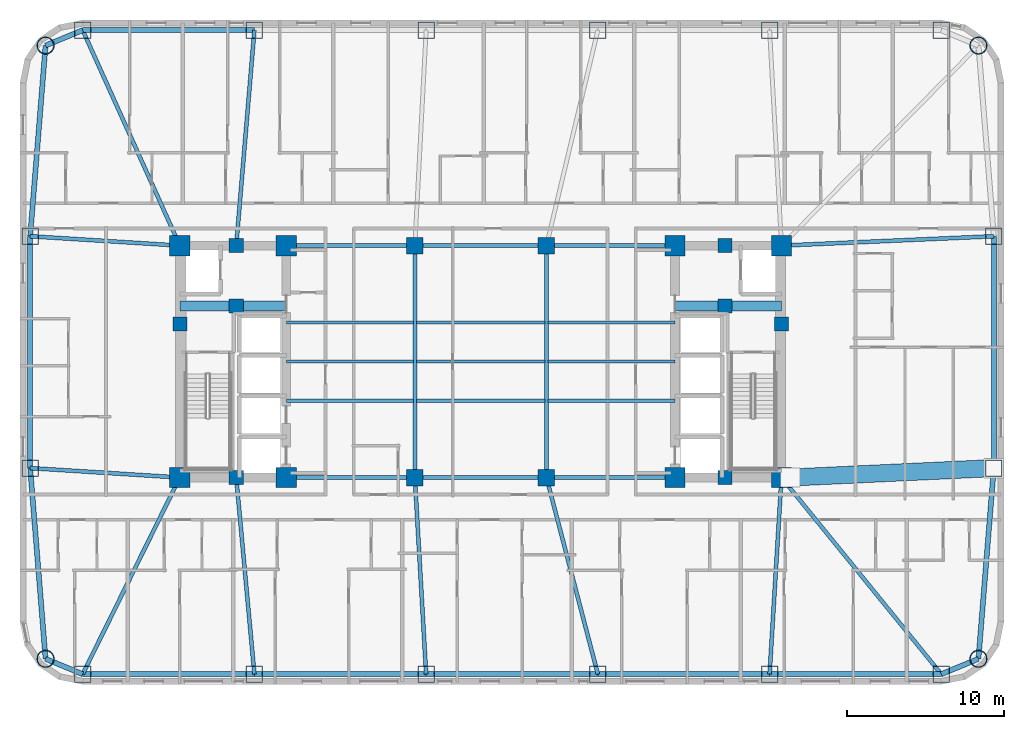
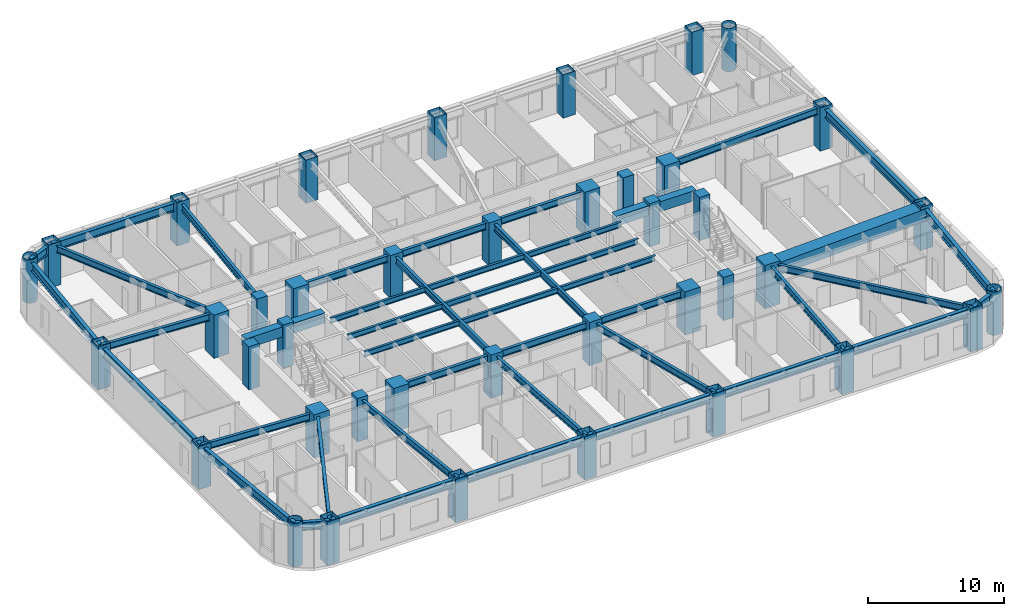
# One storey, part 1 of 11: 45 beams, 40 columns.
"""IFC4 building model written with IfcOpenShell, lengths in metres."""

from ifc_helpers import new_model, si_unit, direction, frame, origin, origin_2d, place, context, subcontext, project, spatial, rectangle, hollow_rectangle, hollow_circle, i_section, extrude, material, material_profile, profile_set, type_object, element, save


model = new_model("IFC4")

# Units and contexts
model_context = context("Model", 3, precision=1e-05, world=origin(), true_north=direction((0.0, 1.0)))
body_context = subcontext(model_context, "Body", "Model", "MODEL_VIEW")
ifc_project = project(units=[si_unit("LENGTHUNIT", "METRE"), si_unit("AREAUNIT", "SQUARE_METRE"), si_unit("VOLUMEUNIT", "CUBIC_METRE"), si_unit("PLANEANGLEUNIT", "RADIAN"), si_unit("MASSUNIT", "GRAM", prefix="KILO")], contexts=[model_context])

# Site, building, storey
site_placement = place(None, origin())
site = spatial("IfcSite", under=ifc_project, at=site_placement, CompositionType="ELEMENT")
building_placement = place(site_placement, origin())
building = spatial("IfcBuilding", under=site, at=building_placement, Name="Voryun Gate Residences", CompositionType="ELEMENT")
storey_placement = place(building_placement, frame((0.0, 0.0, 105.300048828125)))
storey = spatial("IfcBuildingStorey", under=building, at=storey_placement, Name="L25", CompositionType="ELEMENT", Elevation=105.300048828125)

# Columns
ifc_material_1 = material(Name="Concrete C50/60", Category="concrete")
ifc_material_profile_1 = material_profile(ifc_material_1, rectangle(XDim=1.050048828125, YDim=1.050048828125, at=origin_2d()), Name="RC-1050x1050")
ifc_profile_set_1 = profile_set([ifc_material_profile_1], Name="Concrete C50/60")
column_type_1 = type_object("IfcColumnType", Name="COL_CORE_1050", PredefinedType="COLUMN", material=ifc_profile_set_1)
for number, where, z_axis, x_axis, name in (
    (1, (-4.199951171875, -7.39990234375, 0.0), (0.0, 0.0, 1.0), (1.0, 0.0, 0.0), "L25 Interior spine column SP-WS"),
    (2, (-4.199951171875, 7.39990234375, 0.0), (0.0, 0.0, 1.0), (1.0, 0.0, 0.0), "L25 Interior spine column SP-WN"),
    (3, (4.199951171875, -7.39990234375, 0.0), (0.0, 0.0, 1.0), (1.0, 0.0, 0.0), "L25 Interior spine column SP-ES"),
    (4, (4.199951171875, 7.39990234375, 0.0), (0.0, 0.0, 1.0), (1.0, 0.0, 0.0), "L25 Interior spine column SP-EN"),
):
    element("IfcColumn", number, at=place(storey_placement, frame(where, z_axis=z_axis, x_axis=x_axis)), inside=storey, type_object=column_type_1, Name=name, PredefinedType="COLUMN", context=body_context, shape_type="SweptSolid", body=[
        extrude(rectangle(XDim=1.050048828125, YDim=1.050048828125, at=origin_2d()), origin(), (0.0, 0.0, 1.0), 3.89990234375),
    ])
ifc_material_2 = material(Name="Concrete C50/60", Category="concrete")
ifc_material_profile_2 = material_profile(ifc_material_2, rectangle(XDim=0.89990234375, YDim=0.89990234375, at=origin_2d()), Name="RC-900x900")
ifc_profile_set_2 = profile_set([ifc_material_profile_2], Name="Concrete C50/60")
column_type_2 = type_object("IfcColumnType", Name="COL_CORE_900", PredefinedType="COLUMN", material=ifc_profile_set_2)
for number, where, z_axis, x_axis, name in (
    (5, (-19.199951171875, 2.39990234375, 0.0), (0.0, 0.0, 1.0), (1.0, 0.0, 0.0), "L25 Core boundary column WC-MW"),
    (6, (-15.60009765625, -7.39990234375, 0.0), (0.0, 0.0, 1.0), (1.0, 0.0, 0.0), "L25 Core boundary column WC-SM"),
    (7, (-15.60009765625, 7.39990234375, 0.0), (0.0, 0.0, 1.0), (1.0, 0.0, 0.0), "L25 Core boundary column WC-NM"),
    (8, (-15.60009765625, 3.550048828125, 0.0), (0.0, 0.0, 1.0), (1.0, 0.0, 0.0), "L25 Core boundary column WC-MM"),
    (9, (15.60009765625, 3.550048828125, 0.0), (0.0, 0.0, 1.0), (1.0, 0.0, 0.0), "L25 Core boundary column EC-MM"),
    (10, (15.60009765625, -7.39990234375, 0.0), (0.0, 0.0, 1.0), (1.0, 0.0, 0.0), "L25 Core boundary column EC-SM"),
    (11, (15.60009765625, 7.39990234375, 0.0), (0.0, 0.0, 1.0), (1.0, 0.0, 0.0), "L25 Core boundary column EC-NM"),
    (12, (19.199951171875, 2.39990234375, 0.0), (0.0, 0.0, 1.0), (1.0, 0.0, 0.0), "L25 Core boundary column EC-ME"),
):
    element("IfcColumn", number, at=place(storey_placement, frame(where, z_axis=z_axis, x_axis=x_axis)), inside=storey, type_object=column_type_2, Name=name, PredefinedType="COLUMN", context=body_context, shape_type="SweptSolid", body=[
        extrude(rectangle(XDim=0.89990234375, YDim=0.89990234375, at=origin_2d()), origin(), (0.0, 0.0, 1.0), 3.89990234375),
    ])
ifc_material_3 = material(Name="Steel SM420", Category="steel")
ifc_material_profile_3 = material_profile(ifc_material_3, hollow_circle(Radius=0.550048828125, WallThickness=0.035888671875, at=origin_2d()), Name="CHS-1100x36")
ifc_profile_set_3 = profile_set([ifc_material_profile_3], Name="Steel SM420")
column_type_3 = type_object("IfcColumnType", Name="COL_CRN_1100", PredefinedType="COLUMN", material=ifc_profile_set_3)
for number, where, z_axis, x_axis, name in (
    (13, (31.768798828125, -18.96875, 0.0), (0.0, 0.0, 1.0), (1.0, 0.0, 0.0), "L25 Exoskeleton column CSE"),
    (14, (31.768798828125, 20.168701171875, 0.0), (0.0, 0.0, 1.0), (1.0, 0.0, 0.0), "L25 Exoskeleton column CNE"),
    (15, (-27.768798828125, 20.168701171875, 0.0), (0.0, 0.0, 1.0), (1.0, 0.0, 0.0), "L25 Exoskeleton column CNW"),
    (16, (-27.768798828125, -18.96875, 0.0), (0.0, 0.0, 1.0), (1.0, 0.0, 0.0), "L25 Exoskeleton column CSW"),
):
    element("IfcColumn", number, at=place(storey_placement, frame(where, z_axis=z_axis, x_axis=x_axis)), inside=storey, type_object=column_type_3, Name=name, PredefinedType="COLUMN", context=body_context, shape_type="SweptSolid", body=[
        extrude(hollow_circle(Radius=0.550048828125, WallThickness=0.035888671875, at=origin_2d()), origin(), (0.0, 0.0, 1.0), 3.89990234375),
    ])
ifc_material_4 = material(Name="Steel SM420", Category="steel")
ifc_material_profile_4 = material_profile(ifc_material_4, hollow_rectangle(XDim=1.050048828125, YDim=1.050048828125, WallThickness=0.035888671875, at=origin_2d()), Name="BOX-1050x1050x36")
ifc_profile_set_4 = profile_set([ifc_material_profile_4], Name="Steel SM420")
column_type_4 = type_object("IfcColumnType", Name="COL_EXO_B2", PredefinedType="COLUMN", material=ifc_profile_set_4)
for number, where, z_axis, x_axis, name in (
    (17, (-25.39990234375, -19.949951171875, 0.0), (0.0, 0.0, 1.0), (1.0, 0.0, 0.0), "L25 Exoskeleton column S1"),
    (18, (-14.43994140625, -19.949951171875, 0.0), (0.0, 0.0, 1.0), (1.0, 0.0, 0.0), "L25 Exoskeleton column S2"),
    (19, (-3.47998046875, -19.949951171875, 0.0), (0.0, 0.0, 1.0), (1.0, 0.0, 0.0), "L25 Exoskeleton column S3"),
    (20, (7.47998046875, -19.949951171875, 0.0), (0.0, 0.0, 1.0), (1.0, 0.0, 0.0), "L25 Exoskeleton column S4"),
    (21, (18.43994140625, -19.949951171875, 0.0), (0.0, 0.0, 1.0), (1.0, 0.0, 0.0), "L25 Exoskeleton column S5"),
    (22, (29.39990234375, -19.949951171875, 0.0), (0.0, 0.0, 1.0), (1.0, 0.0, 0.0), "L25 Exoskeleton column S6"),
    (23, (32.75, -6.798095703125, 0.0), (0.0, 0.0, 1.0), (1.0, 0.0, 0.0), "L25 Exoskeleton column E1"),
    (24, (32.75, 7.998046875, 0.0), (0.0, 0.0, 1.0), (1.0, 0.0, 0.0), "L25 Exoskeleton column E2"),
    (25, (29.39990234375, 21.14990234375, 0.0), (0.0, 0.0, 1.0), (1.0, 0.0, 0.0), "L25 Exoskeleton column N1"),
    (26, (18.43994140625, 21.14990234375, 0.0), (0.0, 0.0, 1.0), (1.0, 0.0, 0.0), "L25 Exoskeleton column N2"),
    (27, (7.47998046875, 21.14990234375, 0.0), (0.0, 0.0, 1.0), (1.0, 0.0, 0.0), "L25 Exoskeleton column N3"),
    (28, (-3.47998046875, 21.14990234375, 0.0), (0.0, 0.0, 1.0), (1.0, 0.0, 0.0), "L25 Exoskeleton column N4"),
    (29, (-14.43994140625, 21.14990234375, 0.0), (0.0, 0.0, 1.0), (1.0, 0.0, 0.0), "L25 Exoskeleton column N5"),
    (30, (-25.39990234375, 21.14990234375, 0.0), (0.0, 0.0, 1.0), (1.0, 0.0, 0.0), "L25 Exoskeleton column N6"),
    (31, (-28.75, 7.998046875, 0.0), (0.0, 0.0, 1.0), (1.0, 0.0, 0.0), "L25 Exoskeleton column W1"),
    (32, (-28.75, -6.798095703125, 0.0), (0.0, 0.0, 1.0), (1.0, 0.0, 0.0), "L25 Exoskeleton column W2"),
):
    element("IfcColumn", number, at=place(storey_placement, frame(where, z_axis=z_axis, x_axis=x_axis)), inside=storey, type_object=column_type_4, Name=name, PredefinedType="COLUMN", context=body_context, shape_type="SweptSolid", body=[
        extrude(hollow_rectangle(XDim=1.050048828125, YDim=1.050048828125, WallThickness=0.035888671875, at=origin_2d()), origin(), (0.0, 0.0, 1.0), 3.89990234375),
    ])
ifc_material_5 = material(Name="Concrete C60/75", Category="concrete")
ifc_material_profile_5 = material_profile(ifc_material_5, rectangle(XDim=1.300048828125, YDim=1.300048828125, at=origin_2d()), Name="RC-1300x1300")
ifc_profile_set_5 = profile_set([ifc_material_profile_5], Name="Concrete C60/75")
column_type_5 = type_object("IfcColumnType", Name="COL_MEGA_1300", PredefinedType="COLUMN", material=ifc_profile_set_5)
for number, where, z_axis, x_axis, name in (
    (33, (-19.199951171875, -7.39990234375, 0.0), (0.0, 0.0, 1.0), (1.0, 0.0, 0.0), "L25 Core boundary column WC-SW"),
    (34, (-19.199951171875, 7.39990234375, 0.0), (0.0, 0.0, 1.0), (1.0, 0.0, 0.0), "L25 Core boundary column WC-NW"),
    (35, (-12.39990234375, -7.39990234375, 0.0), (0.0, 0.0, 1.0), (1.0, 0.0, 0.0), "L25 Core boundary column WC-SE"),
    (36, (-12.39990234375, 7.39990234375, 0.0), (0.0, 0.0, 1.0), (1.0, 0.0, 0.0), "L25 Core boundary column WC-NE"),
    (37, (12.39990234375, -7.39990234375, 0.0), (0.0, 0.0, 1.0), (1.0, 0.0, 0.0), "L25 Core boundary column EC-SW"),
    (38, (12.39990234375, 7.39990234375, 0.0), (0.0, 0.0, 1.0), (1.0, 0.0, 0.0), "L25 Core boundary column EC-NW"),
    (39, (19.199951171875, -7.39990234375, 0.0), (0.0, 0.0, 1.0), (1.0, 0.0, 0.0), "L25 Core boundary column EC-SE"),
    (40, (19.199951171875, 7.39990234375, 0.0), (0.0, 0.0, 1.0), (1.0, 0.0, 0.0), "L25 Core boundary column EC-NE"),
):
    element("IfcColumn", number, at=place(storey_placement, frame(where, z_axis=z_axis, x_axis=x_axis)), inside=storey, type_object=column_type_5, Name=name, PredefinedType="COLUMN", context=body_context, shape_type="SweptSolid", body=[
        extrude(rectangle(XDim=1.300048828125, YDim=1.300048828125, at=origin_2d()), origin(), (0.0, 0.0, 1.0), 3.89990234375),
    ])

# Beams
ifc_material_6 = material(Name="Steel SM420", Category="steel")
ifc_material_profile_6 = material_profile(ifc_material_6, hollow_rectangle(XDim=1.10009765625, YDim=1.10009765625, WallThickness=0.035888671875, at=origin_2d()), Name="BOX-1100x1100x36")
ifc_profile_set_6 = profile_set([ifc_material_profile_6], Name="Steel SM420")
beam_type_1 = type_object("IfcBeamType", Name="BM_ARCH_RIB", PredefinedType="USERDEFINED", material=ifc_profile_set_6)
beam_1_placement = place(storey_placement, frame((19.75, -7.39990234375, 3.099853515625), z_axis=(0.998930206616, 0.046243294759, 0.0), x_axis=(-0.046243294759, 0.998930206616, 0.0)))
element("IfcBeam", 41, at=beam_1_placement, inside=storey, type_object=beam_type_1, Name="BM-L25-RAD-E1", ObjectType="GIRDER", PredefinedType="USERDEFINED", context=body_context, shape_type="SweptSolid", body=[
    extrude(hollow_rectangle(XDim=1.10009765625, YDim=1.10009765625, WallThickness=0.035888671875, at=origin_2d()), origin(), (0.0, 0.0, 1.0), 13.013916015625),
])
ifc_material_7 = material(Name="Concrete C60/75", Category="concrete")
ifc_material_profile_7 = material_profile(ifc_material_7, rectangle(XDim=0.64990234375, YDim=0.89990234375, at=origin_2d()), Name="RC-650x900")
ifc_profile_set_7 = profile_set([ifc_material_profile_7], Name="Concrete C60/75")
beam_type_2 = type_object("IfcBeamType", Name="BM_COUP_RC900", PredefinedType="LINTEL", material=ifc_profile_set_7)
for number, where, z_axis, x_axis, name in (
    (42, (-19.199951171875, 3.550048828125, 3.199951171875), (1.0, 0.0, 0.0), (0.0, 1.0, 0.0), "BM-L25-WC1"),
    (43, (12.39990234375, 3.550048828125, 3.199951171875), (1.0, 0.0, 0.0), (0.0, 1.0, 0.0), "BM-L25-EC1"),
):
    element("IfcBeam", number, at=place(storey_placement, frame(where, z_axis=z_axis, x_axis=x_axis)), inside=storey, type_object=beam_type_2, Name=name, PredefinedType="LINTEL", context=body_context, shape_type="SweptSolid", body=[
        extrude(rectangle(XDim=0.64990234375, YDim=0.89990234375, at=origin_2d()), origin(), (0.0, 0.0, 1.0), 6.800048828125),
    ])
ifc_material_8 = material(Name="Steel SM355", Category="steel")
ifc_material_profile_8 = material_profile(ifc_material_8, i_section(OverallWidth=0.320068359375, OverallDepth=0.75, WebThickness=0.01611328125, FlangeThickness=0.028076171875, FilletRadius=0.01806640625, at=origin_2d()), Name="H-750x320x16x28")
ifc_profile_set_8 = profile_set([ifc_material_profile_8], Name="Steel SM355")
beam_type_3 = type_object("IfcBeamType", Name="BM_EXO_SPANDREL_L", PredefinedType="SPANDREL", material=ifc_profile_set_8)
for number, where, z_axis, x_axis, name in (
    (44, (-25.39990234375, -19.949951171875, 3.27490234375), (1.0, 0.0, 0.0), (0.0, 1.0, 0.0), "BM-L25-SPAND-01"),
    (45, (-14.43994140625, -19.949951171875, 3.27490234375), (1.0, 0.0, 0.0), (0.0, 1.0, 0.0), "BM-L25-SPAND-02"),
    (46, (-3.47998046875, -19.949951171875, 3.27490234375), (1.0, 0.0, 0.0), (0.0, 1.0, 0.0), "BM-L25-SPAND-03"),
    (47, (7.47998046875, -19.949951171875, 3.27490234375), (1.0, 0.0, 0.0), (0.0, 1.0, 0.0), "BM-L25-SPAND-04"),
    (48, (18.43994140625, -19.949951171875, 3.27490234375), (1.0, 0.0, 0.0), (0.0, 1.0, 0.0), "BM-L25-SPAND-05"),
):
    element("IfcBeam", number, at=place(storey_placement, frame(where, z_axis=z_axis, x_axis=x_axis)), inside=storey, type_object=beam_type_3, Name=name, PredefinedType="SPANDREL", context=body_context, shape_type="SweptSolid", body=[
        extrude(i_section(OverallWidth=0.320068359375, OverallDepth=0.75, WebThickness=0.01611328125, FlangeThickness=0.028076171875, FilletRadius=0.01806640625, at=origin_2d()), origin(), (0.0, 0.0, 1.0), 10.9599609375),
    ])
beam_2_placement = place(storey_placement, frame((29.39990234375, -19.949951171875, 3.27490234375), z_axis=(0.923883376753, 0.382674151414, 0.0), x_axis=(-0.382674151414, 0.923883376753, 0.0)))
element("IfcBeam", 49, at=beam_2_placement, inside=storey, type_object=beam_type_3, Name="BM-L25-SPAND-06", PredefinedType="SPANDREL", context=body_context, shape_type="SweptSolid", body=[
    extrude(i_section(OverallWidth=0.320068359375, OverallDepth=0.75, WebThickness=0.01611328125, FlangeThickness=0.028076171875, FilletRadius=0.01806640625, at=origin_2d()), origin(), (0.0, 0.0, 1.0), 2.56396484375),
])
beam_3_placement = place(storey_placement, frame((31.768798828125, -18.96875, 3.27490234375), z_axis=(0.080359517973, 0.996765944378, 0.0), x_axis=(-0.996765944378, 0.080359517973, 0.0)))
element("IfcBeam", 50, at=beam_3_placement, inside=storey, type_object=beam_type_3, Name="BM-L25-SPAND-07", PredefinedType="SPANDREL", context=body_context, shape_type="SweptSolid", body=[
    extrude(i_section(OverallWidth=0.320068359375, OverallDepth=0.75, WebThickness=0.01611328125, FlangeThickness=0.028076171875, FilletRadius=0.01806640625, at=origin_2d()), origin(), (0.0, 0.0, 1.0), 12.210205078125),
])
beam_4_placement = place(storey_placement, frame((32.75, -6.798095703125, 3.27490234375), z_axis=(0.0, 1.0, 0.0), x_axis=(-1.0, 0.0, 0.0)))
element("IfcBeam", 51, at=beam_4_placement, inside=storey, type_object=beam_type_3, Name="BM-L25-SPAND-08", PredefinedType="SPANDREL", context=body_context, shape_type="SweptSolid", body=[
    extrude(i_section(OverallWidth=0.320068359375, OverallDepth=0.75, WebThickness=0.01611328125, FlangeThickness=0.028076171875, FilletRadius=0.01806640625, at=origin_2d()), origin(), (0.0, 0.0, 1.0), 14.796142578125),
])
beam_5_placement = place(storey_placement, frame((-14.43994140625, 21.14990234375, 3.27490234375), z_axis=(-1.0, 0.0, 0.0), x_axis=(0.0, -1.0, 0.0)))
element("IfcBeam", 52, at=beam_5_placement, inside=storey, type_object=beam_type_3, Name="BM-L25-SPAND-15", PredefinedType="SPANDREL", context=body_context, shape_type="SweptSolid", body=[
    extrude(i_section(OverallWidth=0.320068359375, OverallDepth=0.75, WebThickness=0.01611328125, FlangeThickness=0.028076171875, FilletRadius=0.01806640625, at=origin_2d()), origin(), (0.0, 0.0, 1.0), 10.9599609375),
])
beam_6_placement = place(storey_placement, frame((-25.39990234375, 21.14990234375, 3.27490234375), z_axis=(-0.923883376753, -0.382674151414, 0.0), x_axis=(0.382674151414, -0.923883376753, 0.0)))
element("IfcBeam", 53, at=beam_6_placement, inside=storey, type_object=beam_type_3, Name="BM-L25-SPAND-16", PredefinedType="SPANDREL", context=body_context, shape_type="SweptSolid", body=[
    extrude(i_section(OverallWidth=0.320068359375, OverallDepth=0.75, WebThickness=0.01611328125, FlangeThickness=0.028076171875, FilletRadius=0.01806640625, at=origin_2d()), origin(), (0.0, 0.0, 1.0), 2.56396484375),
])
beam_7_placement = place(storey_placement, frame((-27.768798828125, 20.168701171875, 3.27490234375), z_axis=(-0.080359517973, -0.996765944378, 0.0), x_axis=(0.996765944378, -0.080359517973, 0.0)))
element("IfcBeam", 54, at=beam_7_placement, inside=storey, type_object=beam_type_3, Name="BM-L25-SPAND-17", PredefinedType="SPANDREL", context=body_context, shape_type="SweptSolid", body=[
    extrude(i_section(OverallWidth=0.320068359375, OverallDepth=0.75, WebThickness=0.01611328125, FlangeThickness=0.028076171875, FilletRadius=0.01806640625, at=origin_2d()), origin(), (0.0, 0.0, 1.0), 12.210205078125),
])
beam_8_placement = place(storey_placement, frame((-28.75, 7.998046875, 3.27490234375), z_axis=(0.0, -1.0, 0.0), x_axis=(1.0, 0.0, 0.0)))
element("IfcBeam", 55, at=beam_8_placement, inside=storey, type_object=beam_type_3, Name="BM-L25-SPAND-18", PredefinedType="SPANDREL", context=body_context, shape_type="SweptSolid", body=[
    extrude(i_section(OverallWidth=0.320068359375, OverallDepth=0.75, WebThickness=0.01611328125, FlangeThickness=0.028076171875, FilletRadius=0.01806640625, at=origin_2d()), origin(), (0.0, 0.0, 1.0), 14.796142578125),
])
beam_9_placement = place(storey_placement, frame((-28.75, -6.798095703125, 3.27490234375), z_axis=(0.080359517973, -0.996765944378, 0.0), x_axis=(0.996765944378, 0.080359517973, 0.0)))
element("IfcBeam", 56, at=beam_9_placement, inside=storey, type_object=beam_type_3, Name="BM-L25-SPAND-19", PredefinedType="SPANDREL", context=body_context, shape_type="SweptSolid", body=[
    extrude(i_section(OverallWidth=0.320068359375, OverallDepth=0.75, WebThickness=0.01611328125, FlangeThickness=0.028076171875, FilletRadius=0.01806640625, at=origin_2d()), origin(), (0.0, 0.0, 1.0), 12.210205078125),
])
beam_10_placement = place(storey_placement, frame((-27.768798828125, -18.96875, 3.27490234375), z_axis=(0.923883376753, -0.382674151414, 0.0), x_axis=(0.382674151414, 0.923883376753, 0.0)))
element("IfcBeam", 57, at=beam_10_placement, inside=storey, type_object=beam_type_3, Name="BM-L25-SPAND-20", PredefinedType="SPANDREL", context=body_context, shape_type="SweptSolid", body=[
    extrude(i_section(OverallWidth=0.320068359375, OverallDepth=0.75, WebThickness=0.01611328125, FlangeThickness=0.028076171875, FilletRadius=0.01806640625, at=origin_2d()), origin(), (0.0, 0.0, 1.0), 2.56396484375),
])
ifc_material_9 = material(Name="Steel SM355", Category="steel")
ifc_material_profile_9 = material_profile(ifc_material_9, i_section(OverallWidth=0.25, OverallDepth=0.60009765625, WebThickness=0.011962890625, FlangeThickness=0.02197265625, FilletRadius=0.01806640625, at=origin_2d()), Name="H-600x250x12x22")
ifc_profile_set_9 = profile_set([ifc_material_profile_9], Name="Steel SM355")
beam_type_4 = type_object("IfcBeamType", Name="BM_GIRD_600", PredefinedType="USERDEFINED", material=ifc_profile_set_9)
beam_11_placement = place(storey_placement, frame((-12.39990234375, -7.39990234375, 3.349853515625), z_axis=(1.0, 0.0, 0.0), x_axis=(0.0, 1.0, 0.0)))
element("IfcBeam", 58, at=beam_11_placement, inside=storey, type_object=beam_type_4, Name="BM-L25-SPG1-S", ObjectType="GIRDER", PredefinedType="USERDEFINED", context=body_context, shape_type="SweptSolid", body=[
    extrude(i_section(OverallWidth=0.25, OverallDepth=0.60009765625, WebThickness=0.011962890625, FlangeThickness=0.02197265625, FilletRadius=0.01806640625, at=origin_2d()), origin(), (0.0, 0.0, 1.0), 8.199951171875),
])
beam_12_placement = place(storey_placement, frame((-4.199951171875, -7.39990234375, 3.349853515625), z_axis=(1.0, 0.0, 0.0), x_axis=(0.0, 1.0, 0.0)))
element("IfcBeam", 59, at=beam_12_placement, inside=storey, type_object=beam_type_4, Name="BM-L25-SPG2-S", ObjectType="GIRDER", PredefinedType="USERDEFINED", context=body_context, shape_type="SweptSolid", body=[
    extrude(i_section(OverallWidth=0.25, OverallDepth=0.60009765625, WebThickness=0.011962890625, FlangeThickness=0.02197265625, FilletRadius=0.01806640625, at=origin_2d()), origin(), (0.0, 0.0, 1.0), 8.39990234375),
])
for number, where, z_axis, x_axis, name in (
    (60, (4.199951171875, -7.39990234375, 3.349853515625), (1.0, 0.0, 0.0), (0.0, 1.0, 0.0), "BM-L25-SPG3-S"),
    (61, (-12.39990234375, 7.39990234375, 3.349853515625), (1.0, 0.0, 0.0), (0.0, 1.0, 0.0), "BM-L25-SPG1-N"),
):
    element("IfcBeam", number, at=place(storey_placement, frame(where, z_axis=z_axis, x_axis=x_axis)), inside=storey, type_object=beam_type_4, Name=name, ObjectType="GIRDER", PredefinedType="USERDEFINED", context=body_context, shape_type="SweptSolid", body=[
        extrude(i_section(OverallWidth=0.25, OverallDepth=0.60009765625, WebThickness=0.011962890625, FlangeThickness=0.02197265625, FilletRadius=0.01806640625, at=origin_2d()), origin(), (0.0, 0.0, 1.0), 8.199951171875),
    ])
beam_13_placement = place(storey_placement, frame((-4.199951171875, 7.39990234375, 3.349853515625), z_axis=(1.0, 0.0, 0.0), x_axis=(0.0, 1.0, 0.0)))
element("IfcBeam", 62, at=beam_13_placement, inside=storey, type_object=beam_type_4, Name="BM-L25-SPG2-N", ObjectType="GIRDER", PredefinedType="USERDEFINED", context=body_context, shape_type="SweptSolid", body=[
    extrude(i_section(OverallWidth=0.25, OverallDepth=0.60009765625, WebThickness=0.011962890625, FlangeThickness=0.02197265625, FilletRadius=0.01806640625, at=origin_2d()), origin(), (0.0, 0.0, 1.0), 8.39990234375),
])
beam_14_placement = place(storey_placement, frame((4.199951171875, 7.39990234375, 3.349853515625), z_axis=(1.0, 0.0, 0.0), x_axis=(0.0, 1.0, 0.0)))
element("IfcBeam", 63, at=beam_14_placement, inside=storey, type_object=beam_type_4, Name="BM-L25-SPG3-N", ObjectType="GIRDER", PredefinedType="USERDEFINED", context=body_context, shape_type="SweptSolid", body=[
    extrude(i_section(OverallWidth=0.25, OverallDepth=0.60009765625, WebThickness=0.011962890625, FlangeThickness=0.02197265625, FilletRadius=0.01806640625, at=origin_2d()), origin(), (0.0, 0.0, 1.0), 8.199951171875),
])
for number, where, z_axis, x_axis, name in (
    (64, (-4.199951171875, -7.39990234375, 3.349853515625), (0.0, 1.0, 0.0), (-1.0, 0.0, 0.0), "BM-L25-SPX-W"),
    (65, (4.199951171875, -7.39990234375, 3.349853515625), (0.0, 1.0, 0.0), (-1.0, 0.0, 0.0), "BM-L25-SPX-E"),
):
    element("IfcBeam", number, at=place(storey_placement, frame(where, z_axis=z_axis, x_axis=x_axis)), inside=storey, type_object=beam_type_4, Name=name, ObjectType="GIRDER", PredefinedType="USERDEFINED", context=body_context, shape_type="SweptSolid", body=[
        extrude(i_section(OverallWidth=0.25, OverallDepth=0.60009765625, WebThickness=0.011962890625, FlangeThickness=0.02197265625, FilletRadius=0.01806640625, at=origin_2d()), origin(), (0.0, 0.0, 1.0), 14.7998046875),
    ])
beam_15_placement = place(storey_placement, frame((-19.199951171875, -7.39990234375, 3.349853515625), z_axis=(-0.442917927955, -0.896562161312, 0.0), x_axis=(0.896562161312, -0.442917927955, 0.0)))
element("IfcBeam", 66, at=beam_15_placement, inside=storey, type_object=beam_type_4, Name="BM-L25-RAD-S1", ObjectType="GIRDER", PredefinedType="USERDEFINED", context=body_context, shape_type="SweptSolid", body=[
    extrude(i_section(OverallWidth=0.25, OverallDepth=0.60009765625, WebThickness=0.011962890625, FlangeThickness=0.02197265625, FilletRadius=0.01806640625, at=origin_2d()), origin(), (0.0, 0.0, 1.0), 13.998046875),
])
beam_16_placement = place(storey_placement, frame((-15.60009765625, -7.39990234375, 3.349853515625), z_axis=(0.092049895705, -0.995754395773, 0.0), x_axis=(0.995754395773, 0.092049895705, 0.0)))
element("IfcBeam", 67, at=beam_16_placement, inside=storey, type_object=beam_type_4, Name="BM-L25-RAD-S2", ObjectType="GIRDER", PredefinedType="USERDEFINED", context=body_context, shape_type="SweptSolid", body=[
    extrude(i_section(OverallWidth=0.25, OverallDepth=0.60009765625, WebThickness=0.011962890625, FlangeThickness=0.02197265625, FilletRadius=0.01806640625, at=origin_2d()), origin(), (0.0, 0.0, 1.0), 12.603515625),
])
beam_17_placement = place(storey_placement, frame((-4.199951171875, -7.39990234375, 3.349853515625), z_axis=(0.057273791334, -0.998358509167, 0.0), x_axis=(0.998358509167, 0.057273791334, 0.0)))
element("IfcBeam", 68, at=beam_17_placement, inside=storey, type_object=beam_type_4, Name="BM-L25-RAD-S3", ObjectType="GIRDER", PredefinedType="USERDEFINED", context=body_context, shape_type="SweptSolid", body=[
    extrude(i_section(OverallWidth=0.25, OverallDepth=0.60009765625, WebThickness=0.011962890625, FlangeThickness=0.02197265625, FilletRadius=0.01806640625, at=origin_2d()), origin(), (0.0, 0.0, 1.0), 12.57080078125),
])
beam_18_placement = place(storey_placement, frame((4.199951171875, -7.39990234375, 3.349853515625), z_axis=(0.252862419611, -0.967502246379, 0.0), x_axis=(0.967502246379, 0.252862419611, 0.0)))
element("IfcBeam", 69, at=beam_18_placement, inside=storey, type_object=beam_type_4, Name="BM-L25-RAD-S4", ObjectType="GIRDER", PredefinedType="USERDEFINED", context=body_context, shape_type="SweptSolid", body=[
    extrude(i_section(OverallWidth=0.25, OverallDepth=0.60009765625, WebThickness=0.011962890625, FlangeThickness=0.02197265625, FilletRadius=0.01806640625, at=origin_2d()), origin(), (0.0, 0.0, 1.0), 12.9716796875),
])
beam_19_placement = place(storey_placement, frame((19.199951171875, -7.39990234375, 3.349853515625), z_axis=(-0.060447572917, -0.998171373527, 0.0), x_axis=(0.998171373527, -0.060447572917, 0.0)))
element("IfcBeam", 70, at=beam_19_placement, inside=storey, type_object=beam_type_4, Name="BM-L25-RAD-S5", ObjectType="GIRDER", PredefinedType="USERDEFINED", context=body_context, shape_type="SweptSolid", body=[
    extrude(i_section(OverallWidth=0.25, OverallDepth=0.60009765625, WebThickness=0.011962890625, FlangeThickness=0.02197265625, FilletRadius=0.01806640625, at=origin_2d()), origin(), (0.0, 0.0, 1.0), 12.572998046875),
])
beam_20_placement = place(storey_placement, frame((19.199951171875, -7.39990234375, 3.349853515625), z_axis=(0.63070571586, -0.776022100189, 0.0), x_axis=(0.776022100189, 0.63070571586, 0.0)))
element("IfcBeam", 71, at=beam_20_placement, inside=storey, type_object=beam_type_4, Name="BM-L25-RAD-S6", ObjectType="GIRDER", PredefinedType="USERDEFINED", context=body_context, shape_type="SweptSolid", body=[
    extrude(i_section(OverallWidth=0.25, OverallDepth=0.60009765625, WebThickness=0.011962890625, FlangeThickness=0.02197265625, FilletRadius=0.01806640625, at=origin_2d()), origin(), (0.0, 0.0, 1.0), 16.17236328125),
])
beam_21_placement = place(storey_placement, frame((19.199951171875, 7.39990234375, 3.349853515625), z_axis=(0.999027104014, 0.044100401882, 0.0), x_axis=(-0.044100401882, 0.999027104014, 0.0)))
element("IfcBeam", 72, at=beam_21_placement, inside=storey, type_object=beam_type_4, Name="BM-L25-RAD-E2", ObjectType="GIRDER", PredefinedType="USERDEFINED", context=body_context, shape_type="SweptSolid", body=[
    extrude(i_section(OverallWidth=0.25, OverallDepth=0.60009765625, WebThickness=0.011962890625, FlangeThickness=0.02197265625, FilletRadius=0.01806640625, at=origin_2d()), origin(), (0.0, 0.0, 1.0), 13.563232421875),
])
beam_22_placement = place(storey_placement, frame((-15.60009765625, 7.39990234375, 3.349853515625), z_axis=(0.084076255415, 0.996459323442, 0.0), x_axis=(-0.996459323442, 0.084076255415, 0.0)))
element("IfcBeam", 73, at=beam_22_placement, inside=storey, type_object=beam_type_4, Name="BM-L25-RAD-N5", ObjectType="GIRDER", PredefinedType="USERDEFINED", context=body_context, shape_type="SweptSolid", body=[
    extrude(i_section(OverallWidth=0.25, OverallDepth=0.60009765625, WebThickness=0.011962890625, FlangeThickness=0.02197265625, FilletRadius=0.01806640625, at=origin_2d()), origin(), (0.0, 0.0, 1.0), 13.798828125),
])
beam_23_placement = place(storey_placement, frame((-19.199951171875, 7.39990234375, 3.349853515625), z_axis=(-0.411051048554, 0.911612327408, 0.0), x_axis=(-0.911612327408, -0.411051048554, 0.0)))
element("IfcBeam", 74, at=beam_23_placement, inside=storey, type_object=beam_type_4, Name="BM-L25-RAD-N6", ObjectType="GIRDER", PredefinedType="USERDEFINED", context=body_context, shape_type="SweptSolid", body=[
    extrude(i_section(OverallWidth=0.25, OverallDepth=0.60009765625, WebThickness=0.011962890625, FlangeThickness=0.02197265625, FilletRadius=0.01806640625, at=origin_2d()), origin(), (0.0, 0.0, 1.0), 15.083251953125),
])
beam_24_placement = place(storey_placement, frame((-19.199951171875, 7.39990234375, 3.349853515625), z_axis=(-0.998044329736, 0.062510126233, 0.0), x_axis=(-0.062510126233, -0.998044329736, 0.0)))
element("IfcBeam", 75, at=beam_24_placement, inside=storey, type_object=beam_type_4, Name="BM-L25-RAD-W1", ObjectType="GIRDER", PredefinedType="USERDEFINED", context=body_context, shape_type="SweptSolid", body=[
    extrude(i_section(OverallWidth=0.25, OverallDepth=0.60009765625, WebThickness=0.011962890625, FlangeThickness=0.02197265625, FilletRadius=0.01806640625, at=origin_2d()), origin(), (0.0, 0.0, 1.0), 9.56884765625),
])
beam_25_placement = place(storey_placement, frame((-19.199951171875, -7.39990234375, 3.349853515625), z_axis=(-0.998020380726, 0.062891332119, 0.0), x_axis=(-0.062891332119, -0.998020380726, 0.0)))
element("IfcBeam", 76, at=beam_25_placement, inside=storey, type_object=beam_type_4, Name="BM-L25-RAD-W2", ObjectType="GIRDER", PredefinedType="USERDEFINED", context=body_context, shape_type="SweptSolid", body=[
    extrude(i_section(OverallWidth=0.25, OverallDepth=0.60009765625, WebThickness=0.011962890625, FlangeThickness=0.02197265625, FilletRadius=0.01806640625, at=origin_2d()), origin(), (0.0, 0.0, 1.0), 9.569091796875),
])
ifc_material_10 = material(Name="Steel SM355", Category="steel")
ifc_material_profile_10 = material_profile(ifc_material_10, i_section(OverallWidth=0.199951171875, OverallDepth=0.47998046875, WebThickness=0.010009765625, FlangeThickness=0.01806640625, FilletRadius=0.01806640625, at=origin_2d()), Name="H-480x200x10x18")
ifc_profile_set_10 = profile_set([ifc_material_profile_10], Name="Steel SM355")
beam_type_5 = type_object("IfcBeamType", Name="BM_SEC_480", PredefinedType="BEAM", material=ifc_profile_set_10)
beam_26_placement = place(storey_placement, frame((-12.39990234375, -2.5, 3.409912109375), z_axis=(1.0, 0.0, 0.0), x_axis=(0.0, 1.0, 0.0)))
element("IfcBeam", 77, at=beam_26_placement, inside=storey, type_object=beam_type_5, Name="BM-L25-SEC-CS1", PredefinedType="BEAM", context=body_context, shape_type="SweptSolid", body=[
    extrude(i_section(OverallWidth=0.199951171875, OverallDepth=0.47998046875, WebThickness=0.010009765625, FlangeThickness=0.01806640625, FilletRadius=0.01806640625, at=origin_2d()), origin(), (0.0, 0.0, 1.0), 8.099853515625),
])
beam_27_placement = place(storey_placement, frame((-4.10009765625, -2.5, 3.409912109375), z_axis=(1.0, 0.0, 0.0), x_axis=(0.0, 1.0, 0.0)))
element("IfcBeam", 78, at=beam_27_placement, inside=storey, type_object=beam_type_5, Name="BM-L25-SEC-CS2", PredefinedType="BEAM", context=body_context, shape_type="SweptSolid", body=[
    extrude(i_section(OverallWidth=0.199951171875, OverallDepth=0.47998046875, WebThickness=0.010009765625, FlangeThickness=0.01806640625, FilletRadius=0.01806640625, at=origin_2d()), origin(), (0.0, 0.0, 1.0), 8.2001953125),
])
for number, where, z_axis, x_axis, name in (
    (79, (4.300048828125, -2.5, 3.409912109375), (1.0, 0.0, 0.0), (0.0, 1.0, 0.0), "BM-L25-SEC-CS3"),
    (80, (-12.39990234375, 0.0, 3.409912109375), (1.0, 0.0, 0.0), (0.0, 1.0, 0.0), "BM-L25-SEC-CM1"),
):
    element("IfcBeam", number, at=place(storey_placement, frame(where, z_axis=z_axis, x_axis=x_axis)), inside=storey, type_object=beam_type_5, Name=name, PredefinedType="BEAM", context=body_context, shape_type="SweptSolid", body=[
        extrude(i_section(OverallWidth=0.199951171875, OverallDepth=0.47998046875, WebThickness=0.010009765625, FlangeThickness=0.01806640625, FilletRadius=0.01806640625, at=origin_2d()), origin(), (0.0, 0.0, 1.0), 8.099853515625),
    ])
beam_28_placement = place(storey_placement, frame((-4.10009765625, 0.0, 3.409912109375), z_axis=(1.0, 0.0, 0.0), x_axis=(0.0, 1.0, 0.0)))
element("IfcBeam", 81, at=beam_28_placement, inside=storey, type_object=beam_type_5, Name="BM-L25-SEC-CM2", PredefinedType="BEAM", context=body_context, shape_type="SweptSolid", body=[
    extrude(i_section(OverallWidth=0.199951171875, OverallDepth=0.47998046875, WebThickness=0.010009765625, FlangeThickness=0.01806640625, FilletRadius=0.01806640625, at=origin_2d()), origin(), (0.0, 0.0, 1.0), 8.2001953125),
])
for number, where, z_axis, x_axis, name in (
    (82, (4.300048828125, 0.0, 3.409912109375), (1.0, 0.0, 0.0), (0.0, 1.0, 0.0), "BM-L25-SEC-CM3"),
    (83, (-12.39990234375, 2.5, 3.409912109375), (1.0, 0.0, 0.0), (0.0, 1.0, 0.0), "BM-L25-SEC-CN1"),
):
    element("IfcBeam", number, at=place(storey_placement, frame(where, z_axis=z_axis, x_axis=x_axis)), inside=storey, type_object=beam_type_5, Name=name, PredefinedType="BEAM", context=body_context, shape_type="SweptSolid", body=[
        extrude(i_section(OverallWidth=0.199951171875, OverallDepth=0.47998046875, WebThickness=0.010009765625, FlangeThickness=0.01806640625, FilletRadius=0.01806640625, at=origin_2d()), origin(), (0.0, 0.0, 1.0), 8.099853515625),
    ])
beam_29_placement = place(storey_placement, frame((-4.10009765625, 2.5, 3.409912109375), z_axis=(1.0, 0.0, 0.0), x_axis=(0.0, 1.0, 0.0)))
element("IfcBeam", 84, at=beam_29_placement, inside=storey, type_object=beam_type_5, Name="BM-L25-SEC-CN2", PredefinedType="BEAM", context=body_context, shape_type="SweptSolid", body=[
    extrude(i_section(OverallWidth=0.199951171875, OverallDepth=0.47998046875, WebThickness=0.010009765625, FlangeThickness=0.01806640625, FilletRadius=0.01806640625, at=origin_2d()), origin(), (0.0, 0.0, 1.0), 8.2001953125),
])
beam_30_placement = place(storey_placement, frame((4.300048828125, 2.5, 3.409912109375), z_axis=(1.0, 0.0, 0.0), x_axis=(0.0, 1.0, 0.0)))
element("IfcBeam", 85, at=beam_30_placement, inside=storey, type_object=beam_type_5, Name="BM-L25-SEC-CN3", PredefinedType="BEAM", context=body_context, shape_type="SweptSolid", body=[
    extrude(i_section(OverallWidth=0.199951171875, OverallDepth=0.47998046875, WebThickness=0.010009765625, FlangeThickness=0.01806640625, FilletRadius=0.01806640625, at=origin_2d()), origin(), (0.0, 0.0, 1.0), 8.099853515625),
])

save(model, "model.ifc")
